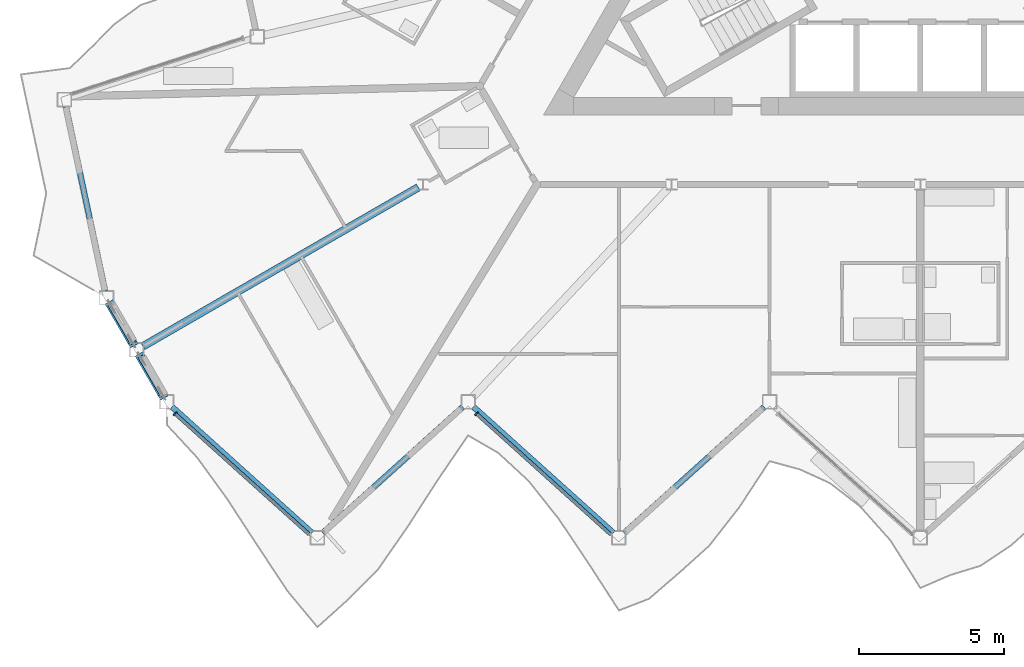
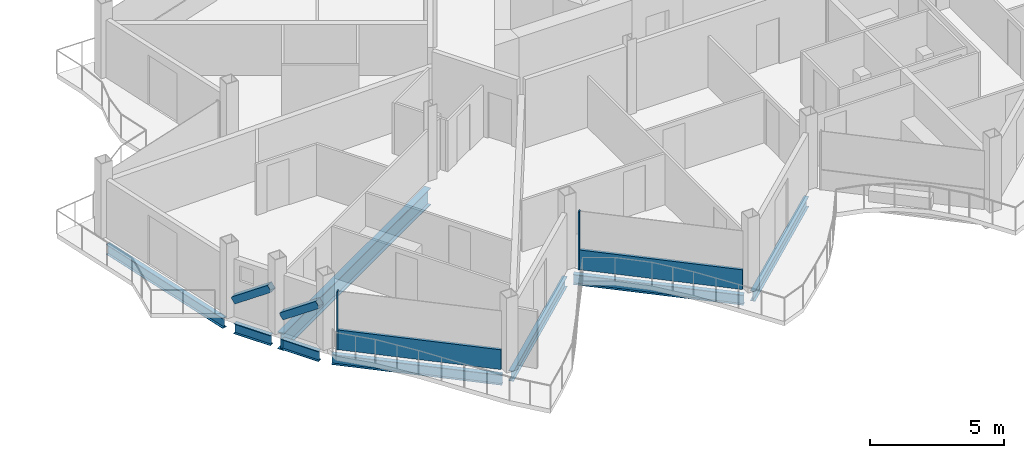
# One storey, part 4 of 26: 8 beams, 6 members, 2 elements without a shape of their own.
"""IFC4 building model written with IfcOpenShell, lengths in metres."""

from ifc_helpers import new_model, si_unit, direction, frame, origin, origin_2d, place, context, subcontext, project, spatial, rectangle, hollow_rectangle, i_section, extrude, material, layer, layer_set, material_profile, profile_set, type_object, element, aggregate, save


model = new_model("IFC4")

# Units and contexts
model_context = context("Model", 3, precision=1e-05, world=origin(), true_north=direction((0.0, 1.0)))
body_context = subcontext(model_context, "Body", "Model", "MODEL_VIEW")
ifc_project = project(units=[si_unit("LENGTHUNIT", "METRE"), si_unit("AREAUNIT", "SQUARE_METRE"), si_unit("VOLUMEUNIT", "CUBIC_METRE"), si_unit("PLANEANGLEUNIT", "RADIAN"), si_unit("MASSUNIT", "GRAM", prefix="KILO")], contexts=[model_context])

# Site, building, storey
site_placement = place(None, origin())
site = spatial("IfcSite", under=ifc_project, at=site_placement, CompositionType="ELEMENT")
building_placement = place(site_placement, origin())
building = spatial("IfcBuilding", under=site, at=building_placement, Name="Cormorant Prow Tower", CompositionType="ELEMENT")
storey_placement = place(building_placement, frame((0.0, 0.0, 401.800048828125)))
storey = spatial("IfcBuildingStorey", under=building, at=storey_placement, Name="L92", CompositionType="ELEMENT", Elevation=401.800048828125)

# Members
ifc_material_1 = material(Name="Structural steel ASTM A500 Gr C", Category="steel")
ifc_material_profile_1 = material_profile(ifc_material_1, hollow_rectangle(XDim=0.3046875, YDim=0.3046875, WallThickness=0.01171875, at=origin_2d()), Name="HSS12x12x1/2")
ifc_profile_set_1 = profile_set([ifc_material_profile_1], Name="Structural steel ASTM A500 Gr C")
member_type_1 = type_object("IfcMemberType", Name="Chamfer brace HSS12x12x1/2", PredefinedType="BRACE", material=ifc_profile_set_1)
member_1_placement = place(storey_placement, frame((-27.950439453125, -14.027587890625, 0.7705078125), z_axis=(0.411230183851, -0.712282194217, 0.568809117095), x_axis=(0.866028632512, 0.499994407638, 0.0)))
element("IfcMember", 1, at=member_1_placement, inside=storey, type_object=member_type_1, Name="Chamfer brace BR3 at WSW00 L92", PredefinedType="BRACE", context=body_context, shape_type="SweptSolid", body=[
    extrude(hollow_rectangle(XDim=0.3046875, YDim=0.3046875, WallThickness=0.01171875, at=origin_2d()), origin(), (0.0, 0.0, 1.0), 1.921142578125),
])
member_2_placement = place(storey_placement, frame((-26.91357421875, -15.823486328125, 0.7705078125), z_axis=(0.411298537745, -0.71230756954, 0.568727913175), x_axis=(0.866000359435, 0.500043375578, 0.0)))
element("IfcMember", 2, at=member_2_placement, inside=storey, type_object=member_type_1, Name="Chamfer brace BR3 at WSW01 L92", PredefinedType="BRACE", context=body_context, shape_type="SweptSolid", body=[
    extrude(hollow_rectangle(XDim=0.3046875, YDim=0.3046875, WallThickness=0.01171875, at=origin_2d()), origin(), (0.0, 0.0, 1.0), 1.92138671875),
])

# Beam
ifc_material_2 = material(Name="Structural steel ASTM A992 Gr 50", Category="steel")
ifc_material_profile_2 = material_profile(ifc_material_2, i_section(OverallWidth=0.267822265625, OverallDepth=0.77001953125, WebThickness=0.015625, FlangeThickness=0.025390625, at=origin_2d()), Name="W30x132")
ifc_profile_set_2 = profile_set([ifc_material_profile_2], Name="Structural steel ASTM A992 Gr 50")
beam_type_1 = type_object("IfcBeamType", Name="Radial floor beam W30x132", PredefinedType="BEAM", material=ifc_profile_set_2)
beam_1_placement = place(storey_placement, frame((-17.31884765625, -9.9990234375, -0.68505859375), z_axis=(-0.866018830095, -0.500011385791, 0.0), x_axis=(0.500011385791, -0.866018830095, 0.0)))
element("IfcBeam", 3, at=beam_1_placement, inside=storey, type_object=beam_type_1, Name="Radial floor beam FB3 5 L92", PredefinedType="BEAM", context=body_context, shape_type="SweptSolid", body=[
    extrude(i_section(OverallWidth=0.267822265625, OverallDepth=0.77001953125, WebThickness=0.015625, FlangeThickness=0.025390625, at=origin_2d()), origin(), (0.0, 0.0, 1.0), 10.971435546875),
])

# Curtain wall, member
ifc_material_3 = material(Name="Aluminium 6063-T6", Category="aluminium")
ifc_layer = layer(ifc_material_3, 0.159912109375)
ifc_layer_set = layer_set([ifc_layer], Name="Aluminium 6063-T6")
curtain_wall_type = type_object("IfcCurtainWallType", Name="Residential unitised curtain wall 160", PredefinedType="NOTDEFINED", material=ifc_layer_set)
curtain_wall_1_placement = place(storey_placement, origin())
curtain_wall_1 = element("IfcCurtainWall", 4, at=curtain_wall_1_placement, inside=storey, type_object=curtain_wall_type, Name="Residential curtain wall S00", PredefinedType="NOTDEFINED")
ifc_material_4 = material(Name="Aluminium 6063-T6", Category="aluminium")
ifc_material_profile_3 = material_profile(ifc_material_4, rectangle(XDim=0.159912109375, YDim=0.050048828125, at=origin_2d()), Name="Residential mullion 50x160")
ifc_profile_set_3 = profile_set([ifc_material_profile_3], Name="Aluminium 6063-T6")
member_type_2 = type_object("IfcMemberType", Name="Residential mullion 50x160", PredefinedType="MULLION", material=ifc_profile_set_3)
member_3_placement = place(storey_placement, frame((-25.70947265625, -17.810546875, 0.0), z_axis=(0.0, 0.0, 1.0), x_axis=(0.669130603959, 0.743144827638, 0.0)))
member_3 = element("IfcMember", 5, at=member_3_placement, type_object=member_type_2, Name="Residential mullion S00", PredefinedType="MULLION", context=body_context, shape_type="SweptSolid", body=[
    extrude(rectangle(XDim=0.159912109375, YDim=0.050048828125, at=origin_2d()), origin(), (0.0, 0.0, 1.0), 2.6337890625),
])

curtain_wall_2_placement = place(storey_placement, origin())
curtain_wall_2 = element("IfcCurtainWall", 6, at=curtain_wall_2_placement, inside=storey, type_object=curtain_wall_type, Name="Residential curtain wall S02", PredefinedType="NOTDEFINED")
member_4_placement = place(storey_placement, frame((-15.309326171875, -17.810546875, 0.0), z_axis=(0.0, 0.0, 1.0), x_axis=(0.669130603959, 0.743144827638, 0.0)))
member_4 = element("IfcMember", 7, at=member_4_placement, type_object=member_type_2, Name="Residential mullion S02", PredefinedType="MULLION", context=body_context, shape_type="SweptSolid", body=[
    extrude(rectangle(XDim=0.159912109375, YDim=0.050048828125, at=origin_2d()), origin(), (0.0, 0.0, 1.0), 2.6337890625),
])

# Member
ifc_material_5 = material(Name="Terracotta", Category="masonry")
ifc_material_profile_4 = material_profile(ifc_material_5, rectangle(XDim=0.1201171875, YDim=0.89990234375, at=origin_2d()), Name="Residential terracotta spandrel rail 120x900")
ifc_profile_set_4 = profile_set([ifc_material_profile_4], Name="Terracotta")
member_type_3 = type_object("IfcMemberType", Name="Residential terracotta spandrel rail 120x900", PredefinedType="USERDEFINED", material=ifc_profile_set_4)
member_5_placement = place(storey_placement, frame((-25.69091796875, -17.8271484375, 0.449951171875), z_axis=(0.743139827378, -0.669136157269, 0.0), x_axis=(0.669136157269, 0.743139827378, 0.0)))
member_5 = element("IfcMember", 8, at=member_5_placement, type_object=member_type_3, Name="Residential spandrel rail S00", ObjectType="TRANSOM", PredefinedType="USERDEFINED", context=body_context, shape_type="SweptSolid", body=[
    extrude(rectangle(XDim=0.1201171875, YDim=0.89990234375, at=origin_2d()), origin(), (0.0, 0.0, 1.0), 6.21533203125),
])

aggregate(curtain_wall_1, [member_3, member_5])

member_6_placement = place(storey_placement, frame((-15.290771484375, -17.8271484375, 0.449951171875), z_axis=(0.743139827378, -0.669136157269, 0.0), x_axis=(0.669136157269, 0.743139827378, 0.0)))
member_6 = element("IfcMember", 9, at=member_6_placement, type_object=member_type_3, Name="Residential spandrel rail S02", ObjectType="TRANSOM", PredefinedType="USERDEFINED", context=body_context, shape_type="SweptSolid", body=[
    extrude(rectangle(XDim=0.1201171875, YDim=0.89990234375, at=origin_2d()), origin(), (0.0, 0.0, 1.0), 6.21533203125),
])

aggregate(curtain_wall_2, [member_4, member_6])

# Beams
ifc_material_6 = material(Name="Structural steel ASTM A992 Gr 50", Category="steel")
ifc_material_profile_5 = material_profile(ifc_material_6, i_section(OverallWidth=0.19287109375, OverallDepth=0.466064453125, WebThickness=0.011474609375, FlangeThickness=0.01904296875, at=origin_2d()), Name="W18x65")
ifc_profile_set_5 = profile_set([ifc_material_profile_5], Name="Structural steel ASTM A992 Gr 50")
beam_type_2 = type_object("IfcBeamType", Name="Spandrel beam W18x65", PredefinedType="SPANDREL", material=ifc_profile_set_5)
for number, where, z_axis, x_axis, name in (
    (10, (-25.814208984375, -17.572998046875, -0.533203125), (0.743131573737, -0.669145323614, 0.0), (0.669145323614, 0.743131573737, 0.0), "Spandrel beam SB4 S00-S01 L92"),
    (11, (-20.6142578125, -21.920654296875, -0.533203125), (0.743131573737, 0.669145323614, 0.0), (-0.669145323614, 0.743131573737, 0.0), "Spandrel beam SB4 S01-S02 L92"),
):
    element("IfcBeam", number, at=place(storey_placement, frame(where, z_axis=z_axis, x_axis=x_axis)), inside=storey, type_object=beam_type_2, Name=name, PredefinedType="SPANDREL", context=body_context, shape_type="SweptSolid", body=[
        extrude(i_section(OverallWidth=0.19287109375, OverallDepth=0.466064453125, WebThickness=0.011474609375, FlangeThickness=0.01904296875, at=origin_2d()), origin(), (0.0, 0.0, 1.0), 6.497314453125),
    ])
beam_2_placement = place(storey_placement, frame((-15.414306640625, -17.572998046875, -0.533203125), z_axis=(0.743148397689, -0.669126638995, 0.0), x_axis=(0.669126638995, 0.743148397689, 0.0)))
element("IfcBeam", 12, at=beam_2_placement, inside=storey, type_object=beam_type_2, Name="Spandrel beam SB4 S02-S03 L92", PredefinedType="SPANDREL", context=body_context, shape_type="SweptSolid", body=[
    extrude(i_section(OverallWidth=0.19287109375, OverallDepth=0.466064453125, WebThickness=0.011474609375, FlangeThickness=0.01904296875, at=origin_2d()), origin(), (0.0, 0.0, 1.0), 6.49755859375),
])
beam_3_placement = place(storey_placement, frame((-10.214111328125, -21.920654296875, -0.533203125), z_axis=(0.743131573737, 0.669145323614, 0.0), x_axis=(-0.669145323614, 0.743131573737, 0.0)))
element("IfcBeam", 13, at=beam_3_placement, inside=storey, type_object=beam_type_2, Name="Spandrel beam SB4 S03-S04 L92", PredefinedType="SPANDREL", context=body_context, shape_type="SweptSolid", body=[
    extrude(i_section(OverallWidth=0.19287109375, OverallDepth=0.466064453125, WebThickness=0.011474609375, FlangeThickness=0.01904296875, at=origin_2d()), origin(), (0.0, 0.0, 1.0), 6.497314453125),
])
beam_4_placement = place(storey_placement, frame((-29.4765625, -7.2138671875, -0.533203125), z_axis=(0.207901897373, -0.978149682344, 0.0), x_axis=(0.978149682344, 0.207901897373, 0.0)))
element("IfcBeam", 14, at=beam_4_placement, inside=storey, type_object=beam_type_2, Name="Spandrel beam SB4 WNW09-WSW00 L92", PredefinedType="SPANDREL", context=body_context, shape_type="SweptSolid", body=[
    extrude(i_section(OverallWidth=0.19287109375, OverallDepth=0.466064453125, WebThickness=0.011474609375, FlangeThickness=0.01904296875, at=origin_2d()), origin(), (0.0, 0.0, 1.0), 6.49755859375),
])
for number, where, z_axis, x_axis, name in (
    (15, (-27.94873046875, -14.0302734375, -0.533203125), (0.499959680857, -0.866048680801, 0.0), (0.866048680801, 0.499959680857, 0.0), "Spandrel beam SB4 WSW00-WSW01 L92"),
    (16, (-26.911865234375, -15.826171875, -0.533203125), (0.499959680857, -0.866048680801, 0.0), (0.866048680801, 0.499959680857, 0.0), "Spandrel beam SB4 WSW01-S00 L92"),
):
    element("IfcBeam", number, at=place(storey_placement, frame(where, z_axis=z_axis, x_axis=x_axis)), inside=storey, type_object=beam_type_2, Name=name, PredefinedType="SPANDREL", context=body_context, shape_type="SweptSolid", body=[
        extrude(i_section(OverallWidth=0.19287109375, OverallDepth=0.466064453125, WebThickness=0.011474609375, FlangeThickness=0.01904296875, at=origin_2d()), origin(), (0.0, 0.0, 1.0), 1.573974609375),
    ])

save(model, "model.ifc")
